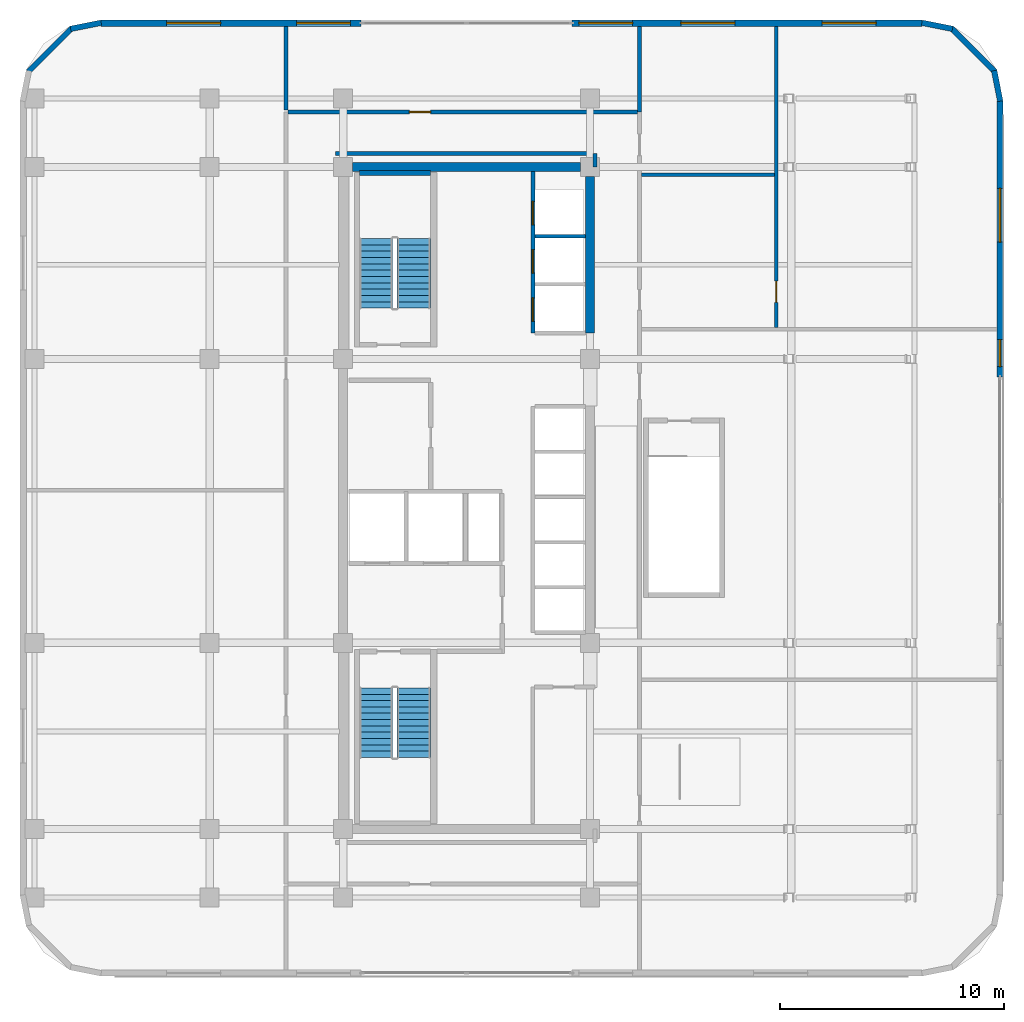
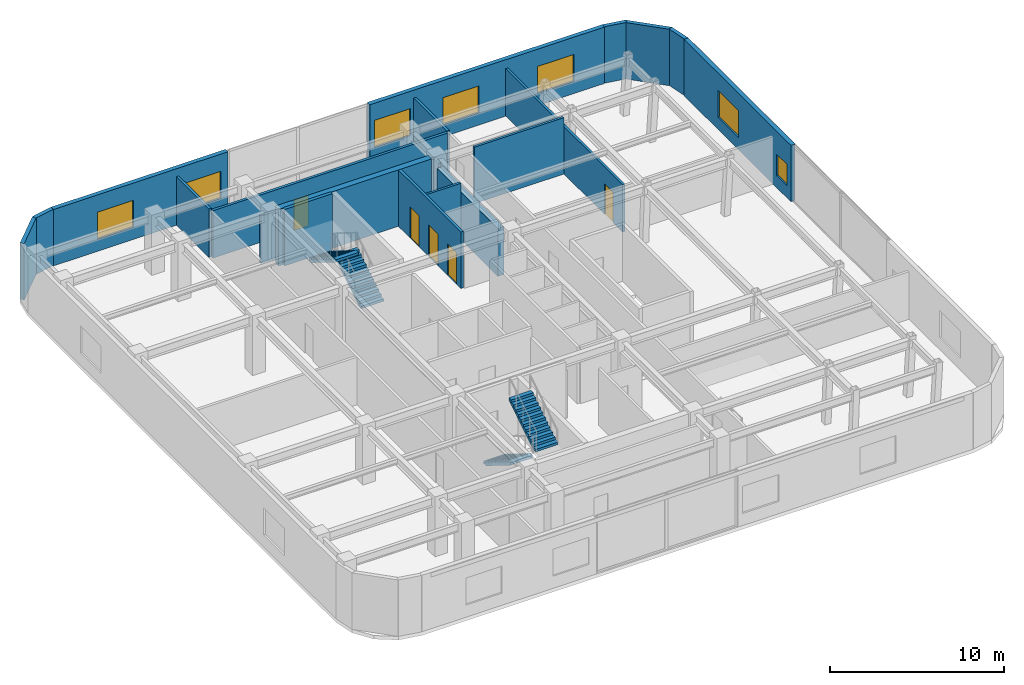
# One storey, part 8 of 12: 20 walls, 7 windows, 5 doors, 4 stair flights, 12 openings, 2 elements without a shape of their own.
"""IFC4 building model written with IfcOpenShell, lengths in metres."""

from ifc_helpers import new_model, si_unit, direction, frame, frame_2d, origin, place, context, subcontext, project, spatial, polyline, rectangle, outline, extrude, material, layer, layer_set, type_object, element, fill, aggregate, save


model = new_model("IFC4")

# Units and contexts
model_context = context("Model", 3, precision=1e-05, world=origin(), true_north=direction((0.0, 1.0)))
body_context = subcontext(model_context, "Body", "Model", "MODEL_VIEW")
ifc_project = project(units=[si_unit("LENGTHUNIT", "METRE"), si_unit("AREAUNIT", "SQUARE_METRE"), si_unit("VOLUMEUNIT", "CUBIC_METRE"), si_unit("PLANEANGLEUNIT", "RADIAN"), si_unit("MASSUNIT", "GRAM", prefix="KILO")], contexts=[model_context])

# Site, building, storey
site_placement = place(None, origin())
site = spatial("IfcSite", under=ifc_project, at=site_placement, CompositionType="ELEMENT")
building_placement = place(site_placement, origin())
building = spatial("IfcBuilding", under=site, at=building_placement, Name="Ochreholt Gables", CompositionType="ELEMENT")
storey_placement = place(building_placement, frame((0.0, 0.0, 117.0)))
storey = spatial("IfcBuildingStorey", under=building, at=storey_placement, Name="L30", CompositionType="ELEMENT", Elevation=117.0)

# Walls
ifc_material_1 = material(Name="Concrete 60 MPa", Category="concrete")
ifc_layer_1 = layer(ifc_material_1, 0.39990234375, Name="Concrete 60 MPa")
ifc_layer_set_1 = layer_set([ifc_layer_1], Name="Concrete 60 MPa")
wall_type_1 = type_object("IfcWallType", Name="WALL-CSW-400", PredefinedType="SHEAR", material=ifc_layer_set_1)
wall_1_placement = place(storey_placement, frame((35.199951171875, 31.35009765625, 0.0), z_axis=(0.0, 0.0, 1.0), x_axis=(0.0, 1.0, 0.0)))
element("IfcWall", 1, at=wall_1_placement, inside=storey, type_object=wall_type_1, Name="L30 Core North-East Shear Wall", PredefinedType="SHEAR", context=body_context, shape_type="SweptSolid", body=[
    extrude(rectangle(XDim=6.974853515625, YDim=0.39990234375, at=frame_2d((3.4873046875, 0.0))), origin(), (0.0, 0.0, 1.0), 3.34912109375),
])
wall_2_placement = place(storey_placement, frame((24.625, 38.75, 0.0), z_axis=(0.0, 0.0, 1.0), x_axis=(1.0, 0.0, 0.0)))
element("IfcWall", 2, at=wall_2_placement, inside=storey, type_object=wall_type_1, Name="L30 Core North Shear Wall", PredefinedType="SHEAR", context=body_context, shape_type="SweptSolid", body=[
    extrude(rectangle(XDim=10.14990234375, YDim=0.39990234375, at=frame_2d((5.074951171875, 0.0))), origin(), (0.0, 0.0, 1.0), 3.9599609375),
])

# Wall, openings, windows
ifc_material_2 = material(Name="Precast concrete 40 MPa", Category="concrete")
ifc_layer_2 = layer(ifc_material_2, 0.280029296875, Name="Precast concrete 40 MPa")
ifc_layer_set_2 = layer_set([ifc_layer_2], Name="Precast concrete 40 MPa")
wall_type_2 = type_object("IfcWallType", Name="WALL-EXT-280", PredefinedType="SOLIDWALL", material=ifc_layer_set_2)
wall_3_placement = place(storey_placement, frame((53.4599609375, 29.39990234375, 0.0), z_axis=(0.0, 0.0, 1.0), x_axis=(0.0, 1.0, 0.0)))
wall_3 = element("IfcWall", 3, at=wall_3_placement, inside=storey, type_object=wall_type_2, Name="L30 East Facade Wall 2", PredefinedType="SOLIDWALL", context=body_context, shape_type="SweptSolid", body=[
    extrude(rectangle(XDim=12.280029296875, YDim=0.280029296875, at=frame_2d((6.14013671875, 0.0))), origin(), (0.0, 0.0, 1.0), 3.9599609375),
])
opening_1_placement = place(wall_3_placement, frame((0.4599609375, 0.0, 0.85009765625)))
opening_1 = element("IfcOpeningElement", 4, at=opening_1_placement, cuts=wall_3, Name="Opening WN-3", PredefinedType="OPENING", context=body_context, shape_type="SweptSolid", body=[
    extrude(rectangle(XDim=1.199951171875, YDim=1.5, at=frame_2d((0.60009765625, 0.75))), frame((0.0, 0.14990234375, 0.0), z_axis=(0.0, -1.0, 0.0), x_axis=(1.0, 0.0, 0.0)), (0.0, 0.0, 1.0), 0.300048828125),
])
opening_2_placement = place(wall_3_placement, frame((6.0, 0.0, 0.85009765625)))
opening_2 = element("IfcOpeningElement", 5, at=opening_2_placement, cuts=wall_3, Name="Opening WN-5", PredefinedType="OPENING", context=body_context, shape_type="SweptSolid", body=[
    extrude(rectangle(XDim=2.39990234375, YDim=1.89990234375, at=frame_2d((1.199951171875, 0.949951171875))), frame((0.0, 0.14990234375, 0.0), z_axis=(0.0, -1.0, 0.0), x_axis=(1.0, 0.0, 0.0)), (0.0, 0.0, 1.0), 0.300048828125),
])
ifc_material_3 = material(Name="Triple-Glazed Thermally Broken Aluminium Window", Category="aluminium")
window_type_1 = type_object("IfcWindowType", Name="WIN-COM-2400", PartitioningType="SINGLE_PANEL", PredefinedType="WINDOW", material=ifc_material_3)
window_1_placement = place(opening_2_placement, origin())
window_1 = element("IfcWindow", 6, at=window_1_placement, inside=storey, type_object=window_type_1, Name="L30 Window W-EXT-E2-L30-2", OverallHeight=1.89990234375, OverallWidth=2.39990234375, PartitioningType="SINGLE_PANEL", PredefinedType="WINDOW", context=body_context, shape_type="SweptSolid", body=[
    extrude(rectangle(XDim=2.39990234375, YDim=1.89990234375, at=frame_2d((1.199951171875, 0.949951171875))), frame((0.0, 0.030029296875, 0.0), z_axis=(0.0, -1.0, 0.0), x_axis=(1.0, 0.0, 0.0)), (0.0, 0.0, 1.0), 0.06005859375),
])
fill(opening_2, window_1)
window_type_2 = type_object("IfcWindowType", Name="WIN-RES-1200", PartitioningType="SINGLE_PANEL", PredefinedType="WINDOW", material=ifc_material_3)
window_2_placement = place(opening_1_placement, origin())
window_2 = element("IfcWindow", 7, at=window_2_placement, inside=storey, type_object=window_type_2, Name="L30 Window W-EXT-E2-L30-1", OverallHeight=1.5, OverallWidth=1.199951171875, PartitioningType="SINGLE_PANEL", PredefinedType="WINDOW", context=body_context, shape_type="SweptSolid", body=[
    extrude(rectangle(XDim=1.199951171875, YDim=1.5, at=frame_2d((0.60009765625, 0.75))), frame((0.0, 0.030029296875, 0.0), z_axis=(0.0, -1.0, 0.0), x_axis=(1.0, 0.0, 0.0)), (0.0, 0.0, 1.0), 0.06005859375),
])
fill(opening_1, window_2)

wall_4_placement = place(storey_placement, frame((49.97998046875, 45.159912109375, 0.0), z_axis=(0.0, 0.0, 1.0), x_axis=(-1.0, 0.0, 0.0)))
wall_4 = element("IfcWall", 8, at=wall_4_placement, inside=storey, type_object=wall_type_2, Name="L30 North Facade Wall 1", PredefinedType="SOLIDWALL", context=body_context, shape_type="SweptSolid", body=[
    extrude(rectangle(XDim=15.580078125, YDim=0.280029296875, at=frame_2d((7.7900390625, 0.0))), origin(), (0.0, 0.0, 1.0), 3.9599609375),
])
opening_3_placement = place(wall_4_placement, frame((12.8798828125, 0.0, 0.85009765625)))
opening_3 = element("IfcOpeningElement", 9, at=opening_3_placement, cuts=wall_4, Name="Opening WN-5", PredefinedType="OPENING", context=body_context, shape_type="SweptSolid", body=[
    extrude(rectangle(XDim=2.39990234375, YDim=1.89990234375, at=frame_2d((1.199951171875, 0.949951171875))), frame((0.0, 0.14990234375, 0.0), z_axis=(0.0, -1.0, 0.0), x_axis=(1.0, 0.0, 0.0)), (0.0, 0.0, 1.0), 0.300048828125),
])
opening_4_placement = place(wall_4_placement, frame((8.330078125, 0.0, 0.85009765625)))
opening_4 = element("IfcOpeningElement", 10, at=opening_4_placement, cuts=wall_4, Name="Opening WN-5", PredefinedType="OPENING", context=body_context, shape_type="SweptSolid", body=[
    extrude(rectangle(XDim=2.39990234375, YDim=1.89990234375, at=frame_2d((1.199951171875, 0.949951171875))), frame((0.0, 0.14990234375, 0.0), z_axis=(0.0, -1.0, 0.0), x_axis=(1.0, 0.0, 0.0)), (0.0, 0.0, 1.0), 0.300048828125),
])
opening_5_placement = place(wall_4_placement, frame((2.0400390625, 0.0, 0.85009765625)))
opening_5 = element("IfcOpeningElement", 11, at=opening_5_placement, cuts=wall_4, Name="Opening WN-5", PredefinedType="OPENING", context=body_context, shape_type="SweptSolid", body=[
    extrude(rectangle(XDim=2.39990234375, YDim=1.89990234375, at=frame_2d((1.199951171875, 0.949951171875))), frame((0.0, 0.14990234375, 0.0), z_axis=(0.0, -1.0, 0.0), x_axis=(1.0, 0.0, 0.0)), (0.0, 0.0, 1.0), 0.300048828125),
])
window_3_placement = place(opening_3_placement, origin())
window_3 = element("IfcWindow", 12, at=window_3_placement, inside=storey, type_object=window_type_1, Name="L30 Window W-EXT-N1-L30-1", OverallHeight=1.89990234375, OverallWidth=2.39990234375, PartitioningType="SINGLE_PANEL", PredefinedType="WINDOW", context=body_context, shape_type="SweptSolid", body=[
    extrude(rectangle(XDim=2.39990234375, YDim=1.89990234375, at=frame_2d((1.199951171875, 0.949951171875))), frame((0.0, 0.030029296875, 0.0), z_axis=(0.0, -1.0, 0.0), x_axis=(1.0, 0.0, 0.0)), (0.0, 0.0, 1.0), 0.06005859375),
])
fill(opening_3, window_3)
window_4_placement = place(opening_4_placement, origin())
window_4 = element("IfcWindow", 13, at=window_4_placement, inside=storey, type_object=window_type_1, Name="L30 Window W-EXT-N1-L30-2", OverallHeight=1.89990234375, OverallWidth=2.39990234375, PartitioningType="SINGLE_PANEL", PredefinedType="WINDOW", context=body_context, shape_type="SweptSolid", body=[
    extrude(rectangle(XDim=2.39990234375, YDim=1.89990234375, at=frame_2d((1.199951171875, 0.949951171875))), frame((0.0, 0.030029296875, 0.0), z_axis=(0.0, -1.0, 0.0), x_axis=(1.0, 0.0, 0.0)), (0.0, 0.0, 1.0), 0.06005859375),
])
fill(opening_4, window_4)
window_5_placement = place(opening_5_placement, origin())
window_5 = element("IfcWindow", 14, at=window_5_placement, inside=storey, type_object=window_type_1, Name="L30 Window W-EXT-N1-L30-3", OverallHeight=1.89990234375, OverallWidth=2.39990234375, PartitioningType="SINGLE_PANEL", PredefinedType="WINDOW", context=body_context, shape_type="SweptSolid", body=[
    extrude(rectangle(XDim=2.39990234375, YDim=1.89990234375, at=frame_2d((1.199951171875, 0.949951171875))), frame((0.0, 0.030029296875, 0.0), z_axis=(0.0, -1.0, 0.0), x_axis=(1.0, 0.0, 0.0)), (0.0, 0.0, 1.0), 0.06005859375),
])
fill(opening_5, window_5)

wall_5_placement = place(storey_placement, frame((25.0, 45.159912109375, 0.0), z_axis=(0.0, 0.0, 1.0), x_axis=(-1.0, 0.0, 0.0)))
wall_5 = element("IfcWall", 15, at=wall_5_placement, inside=storey, type_object=wall_type_2, Name="L30 North Facade Wall 2", PredefinedType="SOLIDWALL", context=body_context, shape_type="SweptSolid", body=[
    extrude(rectangle(XDim=11.580078125, YDim=0.280029296875, at=frame_2d((5.7900390625, 0.0))), origin(), (0.0, 0.0, 1.0), 3.9599609375),
])
opening_6_placement = place(wall_5_placement, frame((6.264892578125, 0.0, 0.85009765625)))
opening_6 = element("IfcOpeningElement", 16, at=opening_6_placement, cuts=wall_5, Name="Opening WN-5", PredefinedType="OPENING", context=body_context, shape_type="SweptSolid", body=[
    extrude(rectangle(XDim=2.39990234375, YDim=1.89990234375, at=frame_2d((1.199951171875, 0.949951171875))), frame((0.0, 0.14990234375, 0.0), z_axis=(0.0, -1.0, 0.0), x_axis=(1.0, 0.0, 0.0)), (0.0, 0.0, 1.0), 0.300048828125),
])
opening_7_placement = place(wall_5_placement, frame((0.47509765625, 0.0, 0.85009765625)))
opening_7 = element("IfcOpeningElement", 17, at=opening_7_placement, cuts=wall_5, Name="Opening WN-5", PredefinedType="OPENING", context=body_context, shape_type="SweptSolid", body=[
    extrude(rectangle(XDim=2.39990234375, YDim=1.89990234375, at=frame_2d((1.199951171875, 0.949951171875))), frame((0.0, 0.14990234375, 0.0), z_axis=(0.0, -1.0, 0.0), x_axis=(1.0, 0.0, 0.0)), (0.0, 0.0, 1.0), 0.300048828125),
])
window_6_placement = place(opening_6_placement, origin())
window_6 = element("IfcWindow", 18, at=window_6_placement, inside=storey, type_object=window_type_1, Name="L30 Window W-EXT-N2-L30-1", OverallHeight=1.89990234375, OverallWidth=2.39990234375, PartitioningType="SINGLE_PANEL", PredefinedType="WINDOW", context=body_context, shape_type="SweptSolid", body=[
    extrude(rectangle(XDim=2.39990234375, YDim=1.89990234375, at=frame_2d((1.199951171875, 0.949951171875))), frame((0.0, 0.030029296875, 0.0), z_axis=(0.0, -1.0, 0.0), x_axis=(1.0, 0.0, 0.0)), (0.0, 0.0, 1.0), 0.06005859375),
])
fill(opening_6, window_6)
window_7_placement = place(opening_7_placement, origin())
window_7 = element("IfcWindow", 19, at=window_7_placement, inside=storey, type_object=window_type_1, Name="L30 Window W-EXT-N2-L30-2", OverallHeight=1.89990234375, OverallWidth=2.39990234375, PartitioningType="SINGLE_PANEL", PredefinedType="WINDOW", context=body_context, shape_type="SweptSolid", body=[
    extrude(rectangle(XDim=2.39990234375, YDim=1.89990234375, at=frame_2d((1.199951171875, 0.949951171875))), frame((0.0, 0.030029296875, 0.0), z_axis=(0.0, -1.0, 0.0), x_axis=(1.0, 0.0, 0.0)), (0.0, 0.0, 1.0), 0.06005859375),
])
fill(opening_7, window_7)

# Walls
ifc_layer_3 = layer(ifc_material_2, 0.25, Name="Precast concrete 40 MPa")
ifc_layer_set_3 = layer_set([ifc_layer_3], Name="Precast concrete 40 MPa")
wall_type_3 = type_object("IfcWallType", Name="WALL-EXT-CNR", PredefinedType="SOLIDWALL", material=ifc_layer_set_3)
wall_6_placement = place(storey_placement, frame((53.475830078125, 41.68359375, 0.0), z_axis=(0.0, 0.0, 1.0), x_axis=(-0.195000137217, 0.980803214965, 0.0)))
element("IfcWall", 20, at=wall_6_placement, inside=storey, type_object=wall_type_3, Name="L30 Rounded Corner Wall NE-1", PredefinedType="SOLIDWALL", context=body_context, shape_type="SweptSolid", body=[
    extrude(rectangle(XDim=1.388427734375, YDim=0.25, at=frame_2d((0.6943359375, 0.0))), origin(), (0.0, 0.0, 1.0), 3.9599609375),
])
wall_7_placement = place(storey_placement, frame((53.23193359375, 42.9951171875, 0.0), z_axis=(0.0, 0.0, 1.0), x_axis=(-0.707151344399, 0.707062215165, 0.0)))
element("IfcWall", 21, at=wall_7_placement, inside=storey, type_object=wall_type_3, Name="L30 Rounded Corner Wall NE-2", PredefinedType="SOLIDWALL", context=body_context, shape_type="SweptSolid", body=[
    extrude(rectangle(XDim=2.7392578125, YDim=0.25, at=frame_2d((1.36962890625, 0.0))), origin(), (0.0, 0.0, 1.0), 3.9599609375),
])
for number, where, z_axis, x_axis, name in (
    (22, (51.345458984375, 44.905029296875, 0.0), (0.0, 0.0, 1.0), (-0.980809899341, 0.19496651342, 0.0), "L30 Rounded Corner Wall NE-3"),
    (23, (13.41650390625, 45.17578125, 0.0), (0.0, 0.0, 1.0), (-0.980809899341, -0.19496651342, 0.0), "L30 Rounded Corner Wall NW-1"),
):
    element("IfcWall", number, at=place(storey_placement, frame(where, z_axis=z_axis, x_axis=x_axis)), inside=storey, type_object=wall_type_3, Name=name, PredefinedType="SOLIDWALL", context=body_context, shape_type="SweptSolid", body=[
        extrude(rectangle(XDim=1.388671875, YDim=0.25, at=frame_2d((0.6943359375, 0.0))), origin(), (0.0, 0.0, 1.0), 3.9599609375),
    ])
wall_8_placement = place(storey_placement, frame((12.10498046875, 44.931884765625, 0.0), z_axis=(0.0, 0.0, 1.0), x_axis=(-0.707151344399, -0.707062215165, 0.0)))
element("IfcWall", 24, at=wall_8_placement, inside=storey, type_object=wall_type_3, Name="L30 Rounded Corner Wall NW-2", PredefinedType="SOLIDWALL", context=body_context, shape_type="SweptSolid", body=[
    extrude(rectangle(XDim=2.7392578125, YDim=0.25, at=frame_2d((1.36962890625, 0.0))), origin(), (0.0, 0.0, 1.0), 3.9599609375),
])
ifc_material_4 = material(Name="Fire-Rated Gypsum Acoustic Partition", Category="gypsum")
ifc_layer_4 = layer(ifc_material_4, 0.179931640625, Name="Fire-Rated Gypsum Acoustic Partition")
ifc_layer_set_4 = layer_set([ifc_layer_4], Name="Fire-Rated Gypsum Acoustic Partition")
wall_type_4 = type_object("IfcWallType", Name="WALL-INT-CR180", PredefinedType="STANDARD", material=ifc_layer_set_4)
wall_9_placement = place(storey_placement, frame((35.419921875, 38.75, 0.0), z_axis=(0.0, 0.0, 1.0), x_axis=(0.0, 1.0, 0.0)))
element("IfcWall", 25, at=wall_9_placement, inside=storey, type_object=wall_type_4, Name="L30 Interior Wall WI-CMCNW1-L30", PredefinedType="STANDARD", context=body_context, shape_type="SweptSolid", body=[
    extrude(rectangle(XDim=0.60009765625, YDim=0.179931640625, at=frame_2d((0.300048828125, 0.0))), origin(), (0.0, 0.0, 1.0), 3.3310546875),
])

# Wall, opening, door
wall_10_placement = place(storey_placement, frame((21.739990234375, 41.199951171875, 0.0), z_axis=(0.0, 0.0, 1.0), x_axis=(1.0, 0.0, 0.0)))
wall_10 = element("IfcWall", 26, at=wall_10_placement, inside=storey, type_object=wall_type_4, Name="L30 Interior Wall WI-CMCN-L30", PredefinedType="STANDARD", context=body_context, shape_type="SweptSolid", body=[
    extrude(rectangle(XDim=15.570068359375, YDim=0.179931640625, at=frame_2d((7.78515625, 0.0))), origin(), (0.0, 0.0, 1.0), 3.3310546875),
])
opening_8_placement = place(wall_10_placement, frame((5.409912109375, 0.0, 0.0)))
opening_8 = element("IfcOpeningElement", 27, at=opening_8_placement, cuts=wall_10, Name="Opening D-GN1", PredefinedType="OPENING", context=body_context, shape_type="SweptSolid", body=[
    extrude(rectangle(XDim=0.949951171875, YDim=2.14990234375, at=frame_2d((0.47509765625, 1.074951171875))), frame((0.0, 0.099853515625, 0.0), z_axis=(0.0, -1.0, 0.0), x_axis=(1.0, 0.0, 0.0)), (0.0, 0.0, 1.0), 0.199951171875),
])
ifc_material_5 = material(Name="Engineered Oak Timber", Category="wood")
door_type_1 = type_object("IfcDoorType", Name="DR-INT-GEN950", OperationType="NOTDEFINED", PredefinedType="DOOR", material=ifc_material_5)
door_1_placement = place(opening_8_placement, origin())
door_1 = element("IfcDoor", 28, at=door_1_placement, inside=storey, type_object=door_type_1, Name="L30 Door D-CMCN-L30", OperationType="SINGLE_SWING_RIGHT", OverallHeight=2.14990234375, OverallWidth=0.949951171875, PredefinedType="DOOR", context=body_context, shape_type="SweptSolid", body=[
    extrude(rectangle(XDim=0.949951171875, YDim=2.14990234375, at=frame_2d((0.47509765625, 1.074951171875))), frame((0.0, 0.02490234375, 0.0), z_axis=(0.0, -1.0, 0.0), x_axis=(1.0, 0.0, 0.0)), (0.0, 0.0, 1.0), 0.050048828125),
])
fill(opening_8, door_1)

# Wall
wall_11_placement = place(storey_placement, frame((23.85009765625, 39.35009765625, 0.0), z_axis=(0.0, 0.0, 1.0), x_axis=(1.0, 0.0, 0.0)))
element("IfcWall", 29, at=wall_11_placement, inside=storey, type_object=wall_type_4, Name="L30 Interior Wall WI-CMCN2-L30", PredefinedType="STANDARD", context=body_context, shape_type="SweptSolid", body=[
    extrude(rectangle(XDim=11.47998046875, YDim=0.179931640625, at=frame_2d((5.739990234375, 0.0))), origin(), (0.0, 0.0, 1.0), 3.3310546875),
])

# Wall, opening, door
ifc_material_6 = material(Name="Moisture-Resistant Plumbing Chase Wall", Category="gypsum")
ifc_layer_5 = layer(ifc_material_6, 0.159912109375, Name="Moisture-Resistant Plumbing Chase Wall")
ifc_layer_set_5 = layer_set([ifc_layer_5], Name="Moisture-Resistant Plumbing Chase Wall")
wall_type_5 = type_object("IfcWallType", Name="WALL-INT-PL160", PredefinedType="PLUMBINGWALL", material=ifc_layer_set_5)
wall_12_placement = place(storey_placement, frame((43.5, 31.6025390625, 0.0), z_axis=(0.0, 0.0, 1.0), x_axis=(0.0, 1.0, 0.0)))
wall_12 = element("IfcWall", 30, at=wall_12_placement, inside=storey, type_object=wall_type_5, Name="L30 Interior Wall WI-CMWC-L30", PredefinedType="PLUMBINGWALL", context=body_context, shape_type="SweptSolid", body=[
    extrude(rectangle(XDim=13.41748046875, YDim=0.159912109375, at=frame_2d((6.708740234375, 0.0))), origin(), (0.0, 0.0, 1.0), 3.3310546875),
])
opening_9_placement = place(wall_12_placement, frame((1.117431640625, 0.0, 0.0)))
opening_9 = element("IfcOpeningElement", 31, at=opening_9_placement, cuts=wall_12, Name="Opening D-GN1", PredefinedType="OPENING", context=body_context, shape_type="SweptSolid", body=[
    extrude(rectangle(XDim=0.949951171875, YDim=2.14990234375, at=frame_2d((0.47509765625, 1.074951171875))), frame((0.0, 0.08984375, 0.0), z_axis=(0.0, -1.0, 0.0), x_axis=(1.0, 0.0, 0.0)), (0.0, 0.0, 1.0), 0.179931640625),
])
door_2_placement = place(opening_9_placement, origin())
door_2 = element("IfcDoor", 32, at=door_2_placement, inside=storey, type_object=door_type_1, Name="L30 Door D-CMNE-L30", OperationType="SINGLE_SWING_LEFT", OverallHeight=2.14990234375, OverallWidth=0.949951171875, PredefinedType="DOOR", context=body_context, shape_type="SweptSolid", body=[
    extrude(rectangle(XDim=0.949951171875, YDim=2.14990234375, at=frame_2d((0.47509765625, 1.074951171875))), frame((0.0, 0.02490234375, 0.0), z_axis=(0.0, -1.0, 0.0), x_axis=(1.0, 0.0, 0.0)), (0.0, 0.0, 1.0), 0.050048828125),
])
fill(opening_9, door_2)

# Walls
wall_13_placement = place(storey_placement, frame((37.489990234375, 38.409912109375, 0.0), z_axis=(0.0, 0.0, 1.0), x_axis=(1.0, 0.0, 0.0)))
element("IfcWall", 33, at=wall_13_placement, inside=storey, type_object=wall_type_5, Name="L30 Interior Wall WI-CMWCD-L30", PredefinedType="PLUMBINGWALL", context=body_context, shape_type="SweptSolid", body=[
    extrude(rectangle(XDim=5.929931640625, YDim=0.159912109375, at=frame_2d((2.96484375, 0.0))), origin(), (0.0, 0.0, 1.0), 3.9599609375),
])
ifc_material_7 = material(Name="Gypsum Acoustic Stud Partition", Category="gypsum")
ifc_layer_6 = layer(ifc_material_7, 0.1650390625, Name="Gypsum Acoustic Stud Partition")
ifc_layer_set_6 = layer_set([ifc_layer_6], Name="Gypsum Acoustic Stud Partition")
wall_type_6 = type_object("IfcWallType", Name="WALL-INT-PT165", PredefinedType="PARTITIONING", material=ifc_layer_set_6)
wall_14_placement = place(storey_placement, frame((37.39990234375, 41.199951171875, 0.0), z_axis=(0.0, 0.0, 1.0), x_axis=(0.0, 1.0, 0.0)))
element("IfcWall", 34, at=wall_14_placement, inside=storey, type_object=wall_type_6, Name="L30 Interior Wall WI-CMCEN-L30", PredefinedType="PARTITIONING", context=body_context, shape_type="SweptSolid", body=[
    extrude(rectangle(XDim=3.820068359375, YDim=0.1650390625, at=frame_2d((1.91015625, 0.0))), origin(), (0.0, 0.0, 1.0), 3.408935546875),
])
wall_15_placement = place(storey_placement, frame((21.64990234375, 41.2900390625, 0.0), z_axis=(0.0, 0.0, 1.0), x_axis=(0.0, 1.0, 0.0)))
element("IfcWall", 35, at=wall_15_placement, inside=storey, type_object=wall_type_6, Name="L30 Interior Wall WI-CMCWN-L30", PredefinedType="PARTITIONING", context=body_context, shape_type="SweptSolid", body=[
    extrude(rectangle(XDim=3.72998046875, YDim=0.1650390625, at=frame_2d((1.864990234375, 0.0))), origin(), (0.0, 0.0, 1.0), 3.408935546875),
])
ifc_material_8 = material(Name="Gypsum Shaftliner and Steel Stud", Category="steel")
ifc_layer_7 = layer(ifc_material_8, 0.14990234375, Name="Gypsum Shaftliner and Steel Stud")
ifc_layer_set_7 = layer_set([ifc_layer_7], Name="Gypsum Shaftliner and Steel Stud")
wall_type_7 = type_object("IfcWallType", Name="WALL-INT-SH150", PredefinedType="STANDARD", material=ifc_layer_set_7)
wall_16_placement = place(storey_placement, frame((32.739990234375, 35.669921875, 0.0), z_axis=(0.0, 0.0, 1.0), x_axis=(1.0, 0.0, 0.0)))
element("IfcWall", 36, at=wall_16_placement, inside=storey, type_object=wall_type_7, Name="L30 Interior Wall WI-LFM-D2-L30", PredefinedType="STANDARD", context=body_context, shape_type="SweptSolid", body=[
    extrude(rectangle(XDim=2.260009765625, YDim=0.14990234375, at=frame_2d((1.1298828125, 0.0))), origin(), (0.0, 0.0, 1.0), 3.9599609375),
])

# Wall, openings, doors
ifc_layer_8 = layer(ifc_material_8, 0.179931640625, Name="Gypsum Shaftliner and Steel Stud")
ifc_layer_set_8 = layer_set([ifc_layer_8], Name="Gypsum Shaftliner and Steel Stud")
wall_type_8 = type_object("IfcWallType", Name="WALL-INT-SH180", PredefinedType="STANDARD", material=ifc_layer_set_8)
wall_17_placement = place(storey_placement, frame((32.64990234375, 31.35009765625, 0.0), z_axis=(0.0, 0.0, 1.0), x_axis=(0.0, 1.0, 0.0)))
wall_17 = element("IfcWall", 37, at=wall_17_placement, inside=storey, type_object=wall_type_8, Name="L30 Interior Wall WI-LFM-FR-L30", PredefinedType="STANDARD", context=body_context, shape_type="SweptSolid", body=[
    extrude(rectangle(XDim=7.199951171875, YDim=0.179931640625, at=frame_2d((3.60009765625, 0.0))), origin(), (0.0, 0.0, 1.0), 3.9599609375),
])
opening_10_placement = place(wall_17_placement, frame((0.52001953125, 0.0, 0.0)))
opening_10 = element("IfcOpeningElement", 38, at=opening_10_placement, cuts=wall_17, Name="Opening LD-PX", PredefinedType="OPENING", context=body_context, shape_type="SweptSolid", body=[
    extrude(rectangle(XDim=1.050048828125, YDim=2.199951171875, at=frame_2d((0.52490234375, 1.10009765625))), frame((0.0, 0.099853515625, 0.0), z_axis=(0.0, -1.0, 0.0), x_axis=(1.0, 0.0, 0.0)), (0.0, 0.0, 1.0), 0.199951171875),
])
opening_11_placement = place(wall_17_placement, frame((2.669921875, 0.0, 0.0)))
opening_11 = element("IfcOpeningElement", 39, at=opening_11_placement, cuts=wall_17, Name="Opening LD-PX", PredefinedType="OPENING", context=body_context, shape_type="SweptSolid", body=[
    extrude(rectangle(XDim=1.050048828125, YDim=2.199951171875, at=frame_2d((0.52490234375, 1.10009765625))), frame((0.0, 0.099853515625, 0.0), z_axis=(0.0, -1.0, 0.0), x_axis=(1.0, 0.0, 0.0)), (0.0, 0.0, 1.0), 0.199951171875),
])
opening_12_placement = place(wall_17_placement, frame((4.820068359375, 0.0, 0.0)))
opening_12 = element("IfcOpeningElement", 40, at=opening_12_placement, cuts=wall_17, Name="Opening LD-PX", PredefinedType="OPENING", context=body_context, shape_type="SweptSolid", body=[
    extrude(rectangle(XDim=1.050048828125, YDim=2.199951171875, at=frame_2d((0.52490234375, 1.10009765625))), frame((0.0, 0.099853515625, 0.0), z_axis=(0.0, -1.0, 0.0), x_axis=(1.0, 0.0, 0.0)), (0.0, 0.0, 1.0), 0.199951171875),
])
ifc_material_9 = material(Name="Stainless Steel", Category="steel")
door_type_2 = type_object("IfcDoorType", Name="DR-LFT-PX1050", OperationType="NOTDEFINED", PredefinedType="DOOR", material=ifc_material_9)
door_3_placement = place(opening_10_placement, origin())
door_3 = element("IfcDoor", 41, at=door_3_placement, inside=storey, type_object=door_type_2, Name="L30 Door LD-M1-L30", OperationType="SLIDING_TO_LEFT", OverallHeight=2.199951171875, OverallWidth=1.050048828125, PredefinedType="DOOR", context=body_context, shape_type="SweptSolid", body=[
    extrude(rectangle(XDim=1.050048828125, YDim=2.199951171875, at=frame_2d((0.52490234375, 1.10009765625))), frame((0.0, 0.02490234375, 0.0), z_axis=(0.0, -1.0, 0.0), x_axis=(1.0, 0.0, 0.0)), (0.0, 0.0, 1.0), 0.050048828125),
])
fill(opening_10, door_3)
door_4_placement = place(opening_11_placement, origin())
door_4 = element("IfcDoor", 42, at=door_4_placement, inside=storey, type_object=door_type_2, Name="L30 Door LD-M2-L30", OperationType="SLIDING_TO_LEFT", OverallHeight=2.199951171875, OverallWidth=1.050048828125, PredefinedType="DOOR", context=body_context, shape_type="SweptSolid", body=[
    extrude(rectangle(XDim=1.050048828125, YDim=2.199951171875, at=frame_2d((0.52490234375, 1.10009765625))), frame((0.0, 0.02490234375, 0.0), z_axis=(0.0, -1.0, 0.0), x_axis=(1.0, 0.0, 0.0)), (0.0, 0.0, 1.0), 0.050048828125),
])
fill(opening_11, door_4)
door_5_placement = place(opening_12_placement, origin())
door_5 = element("IfcDoor", 43, at=door_5_placement, inside=storey, type_object=door_type_2, Name="L30 Door LD-M3-L30", OperationType="SLIDING_TO_LEFT", OverallHeight=2.199951171875, OverallWidth=1.050048828125, PredefinedType="DOOR", context=body_context, shape_type="SweptSolid", body=[
    extrude(rectangle(XDim=1.050048828125, YDim=2.199951171875, at=frame_2d((0.52490234375, 1.10009765625))), frame((0.0, 0.02490234375, 0.0), z_axis=(0.0, -1.0, 0.0), x_axis=(1.0, 0.0, 0.0)), (0.0, 0.0, 1.0), 0.050048828125),
])
fill(opening_12, door_5)

# Wall
ifc_material_10 = material(Name="Concrete 50 MPa", Category="concrete")
ifc_layer_9 = layer(ifc_material_10, 0.219970703125, Name="Concrete 50 MPa")
ifc_layer_set_9 = layer_set([ifc_layer_9], Name="Concrete 50 MPa")
wall_type_9 = type_object("IfcWallType", Name="WALL-STW-220", PredefinedType="SHEAR", material=ifc_layer_set_9)
wall_18_placement = place(storey_placement, frame((24.919921875, 38.489990234375, 0.0), z_axis=(0.0, 0.0, 1.0), x_axis=(1.0, 0.0, 0.0)))
element("IfcWall", 44, at=wall_18_placement, inside=storey, type_object=wall_type_9, Name="L30 Exit Stair 2 North Wall", PredefinedType="SHEAR", context=body_context, shape_type="SweptSolid", body=[
    extrude(rectangle(XDim=3.16015625, YDim=0.219970703125, at=frame_2d((1.580078125, 0.0))), origin(), (0.0, 0.0, 1.0), 3.9599609375),
])

# Stair, stair flights
ifc_material_11 = material(Name="Concrete 40 MPa", Category="concrete")
stair_type_1 = type_object("IfcStairType", Name="STAIR-CORE-ST-1", PredefinedType="HALF_TURN_STAIR", material=ifc_material_11)
stair_1_placement = place(storey_placement, origin())
stair_1 = element("IfcStair", 45, at=stair_1_placement, inside=storey, type_object=stair_type_1, Name="L30 Core Exit Stair 1", PredefinedType="HALF_TURN_STAIR")
stair_flight_type = type_object("IfcStairFlightType", Name="FLIGHT-ST-1480-1750", PredefinedType="STRAIGHT", material=ifc_material_11)
stair_flight_1_placement = place(storey_placement, frame((25.659912109375, 15.5400390625, 0.0), z_axis=(0.0, 0.0, 1.0), x_axis=(0.0, -1.0, 0.0)))
stair_flight_1 = element("IfcStairFlight", 46, at=stair_flight_1_placement, type_object=stair_flight_type, Name="ST-1 flight 1", NumberOfRisers=12, NumberOfTreads=11, PredefinedType="STRAIGHT", RiserHeight=0.175, TreadLength=0.282, context=body_context, shape_type="SweptSolid", body=[
    extrude(outline(polyline([(0.0, 0.0), (0.0, 0.175048828125), (0.281982421875, 0.175048828125), (0.281982421875, 0.35009765625), (0.56396484375, 0.35009765625), (0.56396484375, 0.52490234375), (0.845947265625, 0.52490234375), (0.845947265625, 0.699951171875), (1.1279296875, 0.699951171875), (1.1279296875, 0.875), (1.409912109375, 0.875), (1.409912109375, 1.050048828125), (1.69189453125, 1.050048828125), (1.69189453125, 1.22509765625), (1.97412109375, 1.22509765625), (1.97412109375, 1.39990234375), (2.256103515625, 1.39990234375), (2.256103515625, 1.574951171875), (2.5380859375, 1.574951171875), (2.5380859375, 1.75), (2.820068359375, 1.75), (2.820068359375, 1.925048828125), (3.10205078125, 1.925048828125), (3.10205078125, 2.10009765625), (3.10205078125, 1.74853515625), (0.2841796875, 0.0), (0.0, 0.0)])), frame((0.0, 0.739990234375, 0.0), z_axis=(0.0, -1.0, 0.0), x_axis=(1.0, 0.0, 0.0)), (0.0, 0.0, 1.0), 1.47998046875),
])
stair_flight_2_placement = place(storey_placement, frame((27.340087890625, 12.43798828125, 2.10009765625), z_axis=(0.0, 0.0, 1.0), x_axis=(0.0, 1.0, 0.0)))
stair_flight_2 = element("IfcStairFlight", 47, at=stair_flight_2_placement, type_object=stair_flight_type, Name="ST-1 flight 2", NumberOfRisers=12, NumberOfTreads=11, PredefinedType="STRAIGHT", RiserHeight=0.175, TreadLength=0.282, context=body_context, shape_type="SweptSolid", body=[
    extrude(outline(polyline([(0.0, 0.0), (0.0, 0.175048828125), (0.281982421875, 0.175048828125), (0.281982421875, 0.35009765625), (0.56396484375, 0.35009765625), (0.56396484375, 0.52490234375), (0.845947265625, 0.52490234375), (0.845947265625, 0.699951171875), (1.1279296875, 0.699951171875), (1.1279296875, 0.875), (1.409912109375, 0.875), (1.409912109375, 1.050048828125), (1.69189453125, 1.050048828125), (1.69189453125, 1.22509765625), (1.97412109375, 1.22509765625), (1.97412109375, 1.39990234375), (2.256103515625, 1.39990234375), (2.256103515625, 1.574951171875), (2.5380859375, 1.574951171875), (2.5380859375, 1.75), (2.820068359375, 1.75), (2.820068359375, 1.925048828125), (3.10205078125, 1.925048828125), (3.10205078125, 2.10009765625), (3.10205078125, 1.74853515625), (0.2841796875, 0.0), (0.0, 0.0)])), frame((0.0, 0.739990234375, 0.0), z_axis=(0.0, -1.0, 0.0), x_axis=(1.0, 0.0, 0.0)), (0.0, 0.0, 1.0), 1.47998046875),
])
aggregate(stair_1, [stair_flight_1, stair_flight_2])

stair_type_2 = type_object("IfcStairType", Name="STAIR-CORE-ST-2", PredefinedType="HALF_TURN_STAIR", material=ifc_material_11)
stair_2_placement = place(storey_placement, origin())
stair_2 = element("IfcStair", 48, at=stair_2_placement, inside=storey, type_object=stair_type_2, Name="L30 Core Exit Stair 2", PredefinedType="HALF_TURN_STAIR")
stair_flight_3_placement = place(storey_placement, frame((27.340087890625, 32.4599609375, 0.0), z_axis=(0.0, 0.0, 1.0), x_axis=(0.0, 1.0, 0.0)))
stair_flight_3 = element("IfcStairFlight", 49, at=stair_flight_3_placement, type_object=stair_flight_type, Name="ST-2 flight 1", NumberOfRisers=12, NumberOfTreads=11, PredefinedType="STRAIGHT", RiserHeight=0.175, TreadLength=0.282, context=body_context, shape_type="SweptSolid", body=[
    extrude(outline(polyline([(0.0, 0.0), (0.0, 0.175048828125), (0.281982421875, 0.175048828125), (0.281982421875, 0.35009765625), (0.56396484375, 0.35009765625), (0.56396484375, 0.52490234375), (0.845947265625, 0.52490234375), (0.845947265625, 0.699951171875), (1.1279296875, 0.699951171875), (1.1279296875, 0.875), (1.409912109375, 0.875), (1.409912109375, 1.050048828125), (1.69189453125, 1.050048828125), (1.69189453125, 1.22509765625), (1.97412109375, 1.22509765625), (1.97412109375, 1.39990234375), (2.256103515625, 1.39990234375), (2.256103515625, 1.574951171875), (2.5380859375, 1.574951171875), (2.5380859375, 1.75), (2.820068359375, 1.75), (2.820068359375, 1.925048828125), (3.10205078125, 1.925048828125), (3.10205078125, 2.10009765625), (3.10205078125, 1.74853515625), (0.2841796875, 0.0), (0.0, 0.0)])), frame((0.0, 0.739990234375, 0.0), z_axis=(0.0, -1.0, 0.0), x_axis=(1.0, 0.0, 0.0)), (0.0, 0.0, 1.0), 1.47998046875),
])
stair_flight_4_placement = place(storey_placement, frame((25.659912109375, 35.56201171875, 2.10009765625), z_axis=(0.0, 0.0, 1.0), x_axis=(0.0, -1.0, 0.0)))
stair_flight_4 = element("IfcStairFlight", 50, at=stair_flight_4_placement, type_object=stair_flight_type, Name="ST-2 flight 2", NumberOfRisers=12, NumberOfTreads=11, PredefinedType="STRAIGHT", RiserHeight=0.175, TreadLength=0.282, context=body_context, shape_type="SweptSolid", body=[
    extrude(outline(polyline([(0.0, 0.0), (0.0, 0.175048828125), (0.281982421875, 0.175048828125), (0.281982421875, 0.35009765625), (0.56396484375, 0.35009765625), (0.56396484375, 0.52490234375), (0.845947265625, 0.52490234375), (0.845947265625, 0.699951171875), (1.1279296875, 0.699951171875), (1.1279296875, 0.875), (1.409912109375, 0.875), (1.409912109375, 1.050048828125), (1.69189453125, 1.050048828125), (1.69189453125, 1.22509765625), (1.97412109375, 1.22509765625), (1.97412109375, 1.39990234375), (2.256103515625, 1.39990234375), (2.256103515625, 1.574951171875), (2.5380859375, 1.574951171875), (2.5380859375, 1.75), (2.820068359375, 1.75), (2.820068359375, 1.925048828125), (3.10205078125, 1.925048828125), (3.10205078125, 2.10009765625), (3.10205078125, 1.74853515625), (0.2841796875, 0.0), (0.0, 0.0)])), frame((0.0, 0.739990234375, 0.0), z_axis=(0.0, -1.0, 0.0), x_axis=(1.0, 0.0, 0.0)), (0.0, 0.0, 1.0), 1.47998046875),
])
aggregate(stair_2, [stair_flight_3, stair_flight_4])

save(model, "model.ifc")
